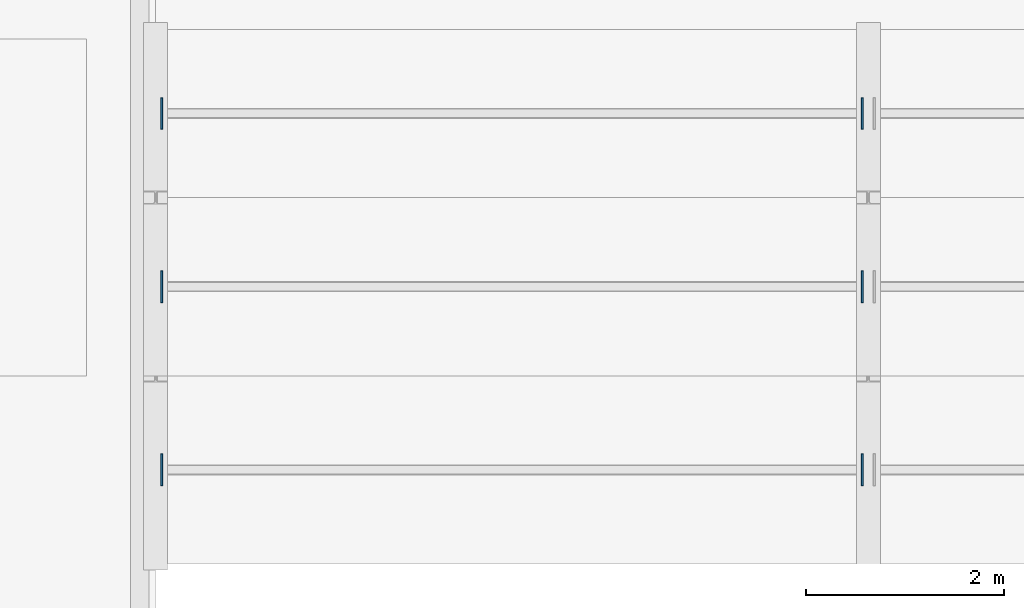
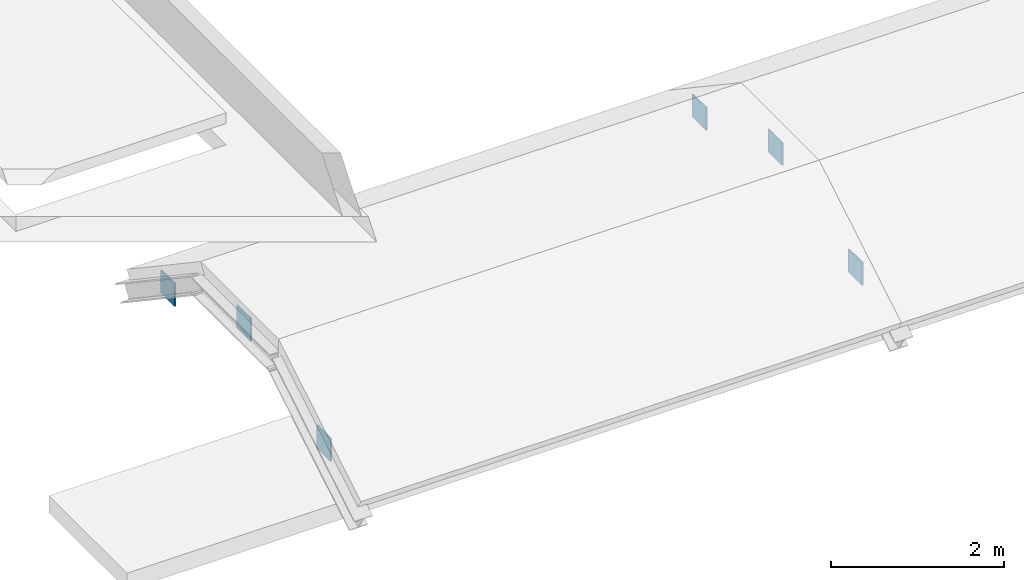
# One storey, part 14 of 27: 6 plates.
"""IFC4 building model written with IfcOpenShell, lengths in metres."""

from ifc_helpers import new_model, si_unit, direction, frame, origin, origin_2d, place, context, subcontext, project, spatial, rectangle, extrude, material, layer, layer_set, type_object, element, save


model = new_model("IFC4")

# Units and contexts
model_context = context("Model", 3, precision=1e-05, world=origin(), true_north=direction((0.0, 1.0)))
body_context = subcontext(model_context, "Body", "Model", "MODEL_VIEW")
ifc_project = project(units=[si_unit("LENGTHUNIT", "METRE"), si_unit("AREAUNIT", "SQUARE_METRE"), si_unit("VOLUMEUNIT", "CUBIC_METRE"), si_unit("PLANEANGLEUNIT", "RADIAN"), si_unit("MASSUNIT", "GRAM", prefix="KILO")], contexts=[model_context])

# Site, building, storey
site_placement = place(None, origin())
site = spatial("IfcSite", under=ifc_project, at=site_placement, CompositionType="ELEMENT")
building_placement = place(site_placement, origin())
building = spatial("IfcBuilding", under=site, at=building_placement, Name="Tazoul Stagehouse", CompositionType="ELEMENT")
storey_placement = place(building_placement, frame((0.0, 0.0, 24.89990234375)))
storey = spatial("IfcBuildingStorey", under=building, at=storey_placement, Name="RF", CompositionType="ELEMENT", Elevation=24.89990234375)

# Plates
ifc_material = material(Name="Steel S355", Category="steel")
ifc_layer = layer(ifc_material, 0.02001953125, Name="Steel S355")
ifc_layer_set = layer_set([ifc_layer], Name="Steel S355")
plate_type = type_object("IfcPlateType", Name="Steel Brace End-Cap Plate 320x320x20 (Exterior)", PredefinedType="USERDEFINED", material=ifc_layer_set)
for number, where, z_axis, x_axis, name in (
    (1, (95.4599609375, 45.550048828125, -15.75), (0.0, 0.0, 1.0), (1.0, 0.0, 0.0), "RF Purlin End-Cap Plate GP-01E (PURL-VP-E1-1-1)"),
    (2, (102.5400390625, 45.550048828125, -15.75), (0.0, 0.0, 1.0), (1.0, 0.0, 0.0), "RF Purlin End-Cap Plate GP-01E (PURL-VP-E1-1-2)"),
    (3, (95.4599609375, 47.39990234375, -15.18017578125), (0.0, 0.0, 1.0), (1.0, 0.0, 0.0), "RF Purlin End-Cap Plate GP-01E (PURL-VP-E1-2-1)"),
    (4, (102.5400390625, 47.39990234375, -15.18017578125), (0.0, 0.0, 1.0), (1.0, 0.0, 0.0), "RF Purlin End-Cap Plate GP-01E (PURL-VP-E1-2-2)"),
    (5, (95.4599609375, 49.14990234375, -15.75), (0.0, 0.0, 1.0), (1.0, 0.0, 0.0), "RF Purlin End-Cap Plate GP-01E (PURL-VP-E1-3-1)"),
    (6, (102.5400390625, 49.14990234375, -15.75), (0.0, 0.0, 1.0), (1.0, 0.0, 0.0), "RF Purlin End-Cap Plate GP-01E (PURL-VP-E1-3-2)"),
):
    element("IfcPlate", number, at=place(storey_placement, frame(where, z_axis=z_axis, x_axis=x_axis)), inside=storey, type_object=plate_type, Name=name, ObjectType="GUSSET PLATE", PredefinedType="USERDEFINED", context=body_context, shape_type="SweptSolid", body=[
        extrude(rectangle(XDim=0.02001953125, YDim=0.320068359375, at=origin_2d()), origin(), (0.0, 0.0, 1.0), 0.320068359375),
    ])

save(model, "model.ifc")
